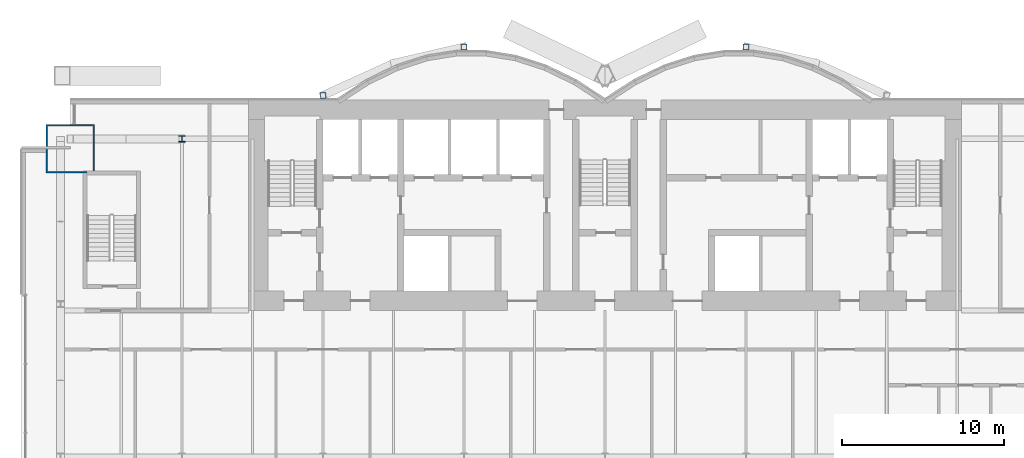
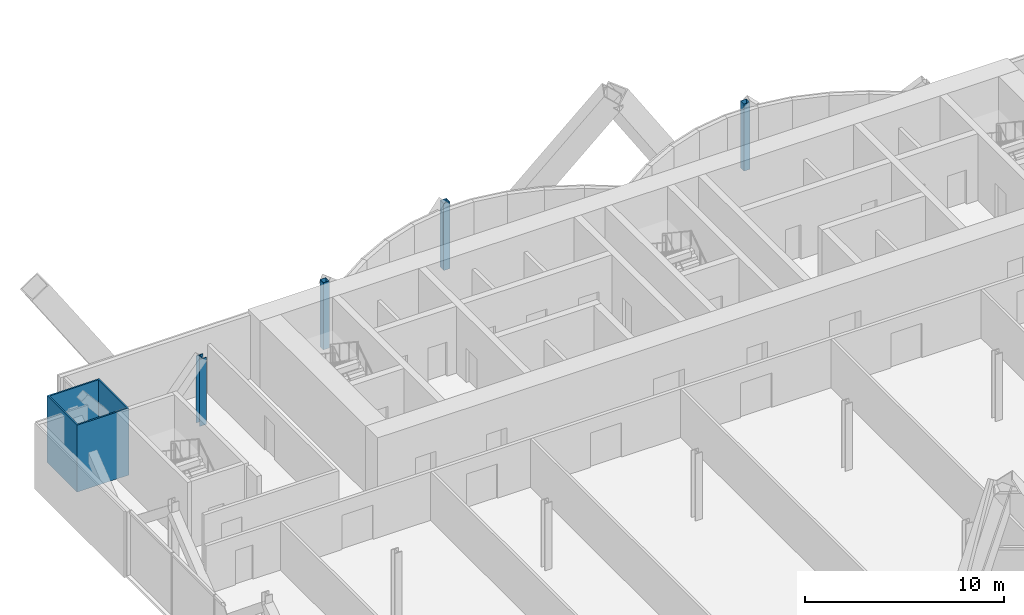
# One storey, part 2 of 21: 5 columns.
"""IFC4 building model written with IfcOpenShell, lengths in metres."""

from ifc_helpers import new_model, si_unit, direction, frame, origin, origin_2d, place, context, subcontext, project, spatial, hollow_rectangle, i_section, extrude, material, material_profile, profile_set, type_object, element, save


model = new_model("IFC4")

# Units and contexts
model_context = context("Model", 3, precision=1e-05, world=origin(), true_north=direction((0.0, 1.0)))
body_context = subcontext(model_context, "Body", "Model", "MODEL_VIEW")
ifc_project = project(units=[si_unit("LENGTHUNIT", "METRE"), si_unit("AREAUNIT", "SQUARE_METRE"), si_unit("VOLUMEUNIT", "CUBIC_METRE"), si_unit("PLANEANGLEUNIT", "RADIAN"), si_unit("MASSUNIT", "GRAM", prefix="KILO")], contexts=[model_context])

# Site, building, storey
site_placement = place(None, origin())
site = spatial("IfcSite", under=ifc_project, at=site_placement, CompositionType="ELEMENT")
building_placement = place(site_placement, origin())
building = spatial("IfcBuilding", under=site, at=building_placement, Name="Bicima Exchange Tower", CompositionType="ELEMENT")
storey_placement = place(building_placement, frame((0.0, 0.0, 130.89990234375)))
storey = spatial("IfcBuildingStorey", under=building, at=storey_placement, Name="L28", CompositionType="ELEMENT", Elevation=130.89990234375)

# Columns
ifc_material_1 = material(Name="Steel ASTM A572 Gr 50", Category="steel")
ifc_material_profile_1 = material_profile(ifc_material_1, hollow_rectangle(XDim=3.0, YDim=3.0, WallThickness=0.090087890625, at=origin_2d()))
ifc_profile_set_1 = profile_set([ifc_material_profile_1], Name="Steel ASTM A572 Gr 50")
column_type_1 = type_object("IfcColumnType", Name="Mega column BOX 3000x3000x90", PredefinedType="COLUMN", material=ifc_profile_set_1)
column_1_placement = place(storey_placement, frame((-33.0, -3.0, 0.0), z_axis=(0.0, 0.0, 1.0), x_axis=(1.0, 0.0, 0.0)))
element("IfcColumn", 1, at=column_1_placement, inside=storey, type_object=column_type_1, Name="Mega column mega-33.0r", PredefinedType="COLUMN", context=body_context, shape_type="SweptSolid", body=[
    extrude(hollow_rectangle(XDim=3.0, YDim=3.0, WallThickness=0.090087890625, at=origin_2d()), origin(), (0.0, 0.0, 1.0), 4.10009765625),
])
ifc_material_2 = material(Name="Steel ASTM A992 Gr 50", Category="steel")
ifc_material_profile_2 = material_profile(ifc_material_2, i_section(OverallWidth=0.398681640625, OverallDepth=0.393798828125, WebThickness=0.022705078125, FlangeThickness=0.03662109375, at=origin_2d()))
ifc_profile_set_2 = profile_set([ifc_material_profile_2], Name="Steel ASTM A992 Gr 50")
column_type_2 = type_object("IfcColumnType", Name="Perimeter column W14x193", PredefinedType="COLUMN", material=ifc_profile_set_2)
column_2_placement = place(storey_placement, frame((-26.10009765625, -2.39990234375, 0.0), z_axis=(0.0, 0.0, 1.0), x_axis=(1.0, 0.0, 0.0)))
element("IfcColumn", 2, at=column_2_placement, inside=storey, type_object=column_type_2, Name="Perimeter column grav-26.1r", PredefinedType="COLUMN", context=body_context, shape_type="SweptSolid", body=[
    extrude(i_section(OverallWidth=0.398681640625, OverallDepth=0.393798828125, WebThickness=0.022705078125, FlangeThickness=0.03662109375, at=origin_2d()), origin(), (0.0, 0.0, 1.0), 4.10009765625),
])
ifc_material_profile_3 = material_profile(ifc_material_1, hollow_rectangle(XDim=0.355712890625, YDim=0.355712890625, WallThickness=0.01171875, at=origin_2d()))
ifc_profile_set_3 = profile_set([ifc_material_profile_3], Name="Steel ASTM A572 Gr 50")
column_type_3 = type_object("IfcColumnType", Name="Rear pilaster HSS14x14x1/2", PredefinedType="COLUMN", material=ifc_profile_set_3)
for number, where, z_axis, x_axis, name in (
    (3, (-8.699951171875, 3.26904296875, 0.0), (0.0, 0.0, 1.0), (1.0, 0.0, 0.0), "Rear pilaster rexo-8.7r"),
    (4, (-17.39990234375, 0.278076171875, 0.0), (0.0, 0.0, 1.0), (1.0, 0.0, 0.0), "Rear pilaster rexo-17.4r"),
    (5, (8.699951171875, 3.26904296875, 0.0), (0.0, 0.0, 1.0), (1.0, 0.0, 0.0), "Rear pilaster rexo+8.7r"),
):
    element("IfcColumn", number, at=place(storey_placement, frame(where, z_axis=z_axis, x_axis=x_axis)), inside=storey, type_object=column_type_3, Name=name, PredefinedType="COLUMN", context=body_context, shape_type="SweptSolid", body=[
        extrude(hollow_rectangle(XDim=0.355712890625, YDim=0.355712890625, WallThickness=0.01171875, at=origin_2d()), origin(), (0.0, 0.0, 1.0), 4.10009765625),
    ])

save(model, "model.ifc")
